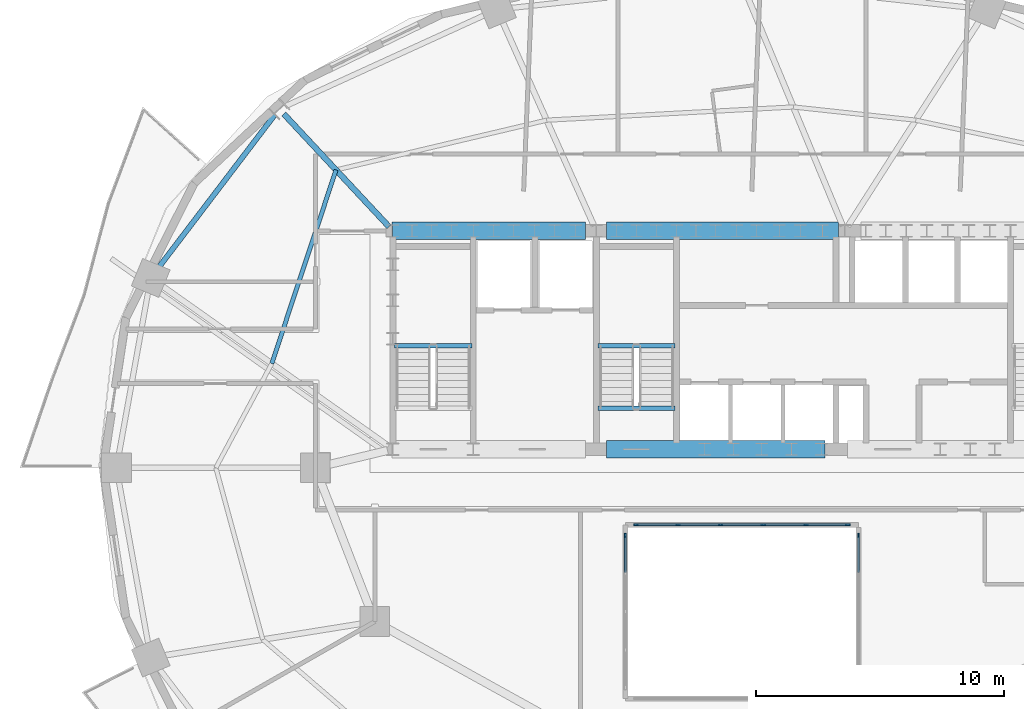
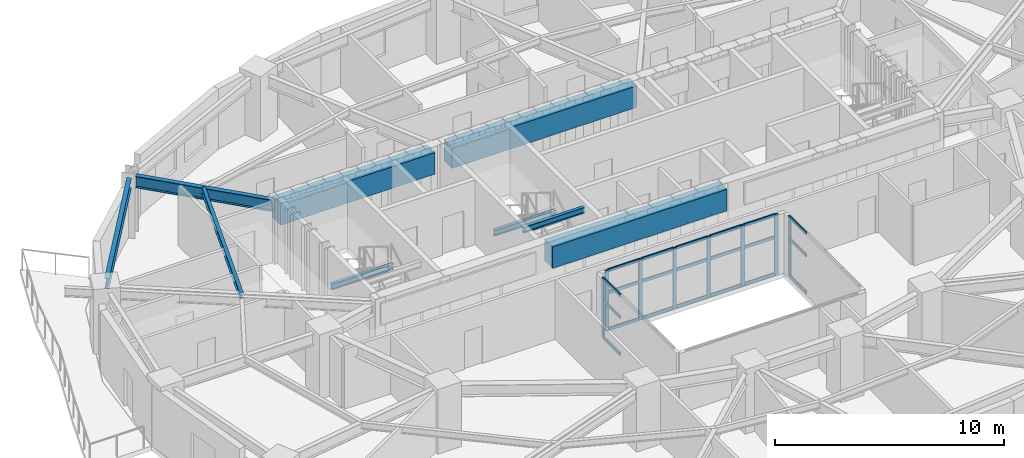
# One storey, part 3 of 13: 29 members, 9 beams, 3 elements without a shape of their own.
"""IFC4 building model written with IfcOpenShell, lengths in metres."""

from ifc_helpers import new_model, si_unit, direction, frame, origin, origin_2d, place, context, subcontext, project, spatial, rectangle, i_section, extrude, material, material_profile, profile_set, type_object, element, aggregate, save


model = new_model("IFC4")

# Units and contexts
model_context = context("Model", 3, precision=1e-05, world=origin(), true_north=direction((0.0, 1.0)))
body_context = subcontext(model_context, "Body", "Model", "MODEL_VIEW")
ifc_project = project(units=[si_unit("LENGTHUNIT", "METRE"), si_unit("AREAUNIT", "SQUARE_METRE"), si_unit("VOLUMEUNIT", "CUBIC_METRE"), si_unit("PLANEANGLEUNIT", "RADIAN"), si_unit("MASSUNIT", "GRAM", prefix="KILO")], contexts=[model_context])

# Site, building, storey
site_placement = place(None, origin())
site = spatial("IfcSite", under=ifc_project, at=site_placement, CompositionType="ELEMENT")
building_placement = place(site_placement, origin())
building = spatial("IfcBuilding", under=site, at=building_placement, Name="Haldorwick Loom Tower", CompositionType="ELEMENT")
storey_placement = place(building_placement, frame((0.0, 0.0, 142.550048828125)))
storey = spatial("IfcBuildingStorey", under=building, at=storey_placement, Name="L38", CompositionType="ELEMENT", Elevation=142.550048828125)

# Curtain wall, members
ifc_material_1 = material(Name="Thermally Broken Anodized Aluminium Curtain Wall Framing", Category="aluminium")
curtain_wall_type = type_object("IfcCurtainWallType", Name="ARC-CW-03", PredefinedType="NOTDEFINED", material=ifc_material_1)
curtain_wall_1_placement = place(storey_placement, origin())
curtain_wall_1 = element("IfcCurtainWall", 1, at=curtain_wall_1_placement, inside=storey, type_object=curtain_wall_type, Name="L38 Atrium Glazed Screen N", PredefinedType="NOTDEFINED")
ifc_material_profile_1 = material_profile(ifc_material_1, rectangle(XDim=0.06591796875, YDim=0.18505859375, at=origin_2d()), Name="ALU_MUL_66X185", Category="aluminium")
ifc_profile_set_1 = profile_set([ifc_material_profile_1], Name="Thermally Broken Anodized Aluminium Curtain Wall Framing")
member_type_1 = type_object("IfcMemberType", Name="ARC-CWM-03", PredefinedType="MULLION", material=ifc_profile_set_1)
member_1_placement = place(storey_placement, frame((31.73291015625, 23.699951171875, 0.0), z_axis=(0.0, 0.0, 1.0), x_axis=(0.0, 1.0, 0.0)))
member_1 = element("IfcMember", 2, at=member_1_placement, type_object=member_type_1, Name="CW-03 mullion 1", PredefinedType="MULLION", context=body_context, shape_type="SweptSolid", body=[
    extrude(rectangle(XDim=0.06591796875, YDim=0.18505859375, at=origin_2d()), origin(), (0.0, 0.0, 1.0), 3.2099609375),
])
member_2_placement = place(storey_placement, frame((33.419921875, 23.699951171875, 0.0), z_axis=(0.0, 0.0, 1.0), x_axis=(0.0, 1.0, 0.0)))
member_2 = element("IfcMember", 3, at=member_2_placement, type_object=member_type_1, Name="CW-03 mullion 2", PredefinedType="MULLION", context=body_context, shape_type="SweptSolid", body=[
    extrude(rectangle(XDim=0.06591796875, YDim=0.18505859375, at=origin_2d()), origin(), (0.0, 0.0, 1.0), 3.2099609375),
])
member_3_placement = place(storey_placement, frame((35.139892578125, 23.699951171875, 0.0), z_axis=(0.0, 0.0, 1.0), x_axis=(0.0, 1.0, 0.0)))
member_3 = element("IfcMember", 4, at=member_3_placement, type_object=member_type_1, Name="CW-03 mullion 3", PredefinedType="MULLION", context=body_context, shape_type="SweptSolid", body=[
    extrude(rectangle(XDim=0.06591796875, YDim=0.18505859375, at=origin_2d()), origin(), (0.0, 0.0, 1.0), 3.2099609375),
])
member_4_placement = place(storey_placement, frame((36.860107421875, 23.699951171875, 0.0), z_axis=(0.0, 0.0, 1.0), x_axis=(0.0, 1.0, 0.0)))
member_4 = element("IfcMember", 5, at=member_4_placement, type_object=member_type_1, Name="CW-03 mullion 4", PredefinedType="MULLION", context=body_context, shape_type="SweptSolid", body=[
    extrude(rectangle(XDim=0.06591796875, YDim=0.18505859375, at=origin_2d()), origin(), (0.0, 0.0, 1.0), 3.2099609375),
])
member_5_placement = place(storey_placement, frame((38.580078125, 23.699951171875, 0.0), z_axis=(0.0, 0.0, 1.0), x_axis=(0.0, 1.0, 0.0)))
member_5 = element("IfcMember", 6, at=member_5_placement, type_object=member_type_1, Name="CW-03 mullion 5", PredefinedType="MULLION", context=body_context, shape_type="SweptSolid", body=[
    extrude(rectangle(XDim=0.06591796875, YDim=0.18505859375, at=origin_2d()), origin(), (0.0, 0.0, 1.0), 3.2099609375),
])
member_6_placement = place(storey_placement, frame((40.26708984375, 23.699951171875, 0.0), z_axis=(0.0, 0.0, 1.0), x_axis=(0.0, 1.0, 0.0)))
member_6 = element("IfcMember", 7, at=member_6_placement, type_object=member_type_1, Name="CW-03 mullion 6", PredefinedType="MULLION", context=body_context, shape_type="SweptSolid", body=[
    extrude(rectangle(XDim=0.06591796875, YDim=0.18505859375, at=origin_2d()), origin(), (0.0, 0.0, 1.0), 3.2099609375),
])

# Curtain wall, member
curtain_wall_2_placement = place(storey_placement, origin())
curtain_wall_2 = element("IfcCurtainWall", 8, at=curtain_wall_2_placement, inside=storey, type_object=curtain_wall_type, Name="L38 Atrium Glazed Screen W", PredefinedType="NOTDEFINED")
member_7_placement = place(storey_placement, frame((31.300048828125, 23.26708984375, 0.0), z_axis=(0.0, 0.0, 1.0), x_axis=(-1.0, 0.0, 0.0)))
member_7 = element("IfcMember", 9, at=member_7_placement, type_object=member_type_1, Name="CW-03 mullion 5", PredefinedType="MULLION", context=body_context, shape_type="SweptSolid", body=[
    extrude(rectangle(XDim=0.06591796875, YDim=0.18505859375, at=origin_2d()), origin(), (0.0, 0.0, 1.0), 3.2099609375),
])

curtain_wall_3_placement = place(storey_placement, origin())
curtain_wall_3 = element("IfcCurtainWall", 10, at=curtain_wall_3_placement, inside=storey, type_object=curtain_wall_type, Name="L38 Atrium Glazed Screen E", PredefinedType="NOTDEFINED")
member_8_placement = place(storey_placement, frame((40.699951171875, 23.26708984375, 0.0), z_axis=(0.0, 0.0, 1.0), x_axis=(1.0, 0.0, 0.0)))
member_8 = element("IfcMember", 11, at=member_8_placement, type_object=member_type_1, Name="CW-03 mullion 1", PredefinedType="MULLION", context=body_context, shape_type="SweptSolid", body=[
    extrude(rectangle(XDim=0.06591796875, YDim=0.18505859375, at=origin_2d()), origin(), (0.0, 0.0, 1.0), 3.2099609375),
])

# Member
ifc_material_profile_2 = material_profile(ifc_material_1, rectangle(XDim=0.06591796875, YDim=0.1650390625, at=origin_2d()), Name="ALU_TRN_66X165", Category="aluminium")
ifc_profile_set_2 = profile_set([ifc_material_profile_2], Name="Thermally Broken Anodized Aluminium Curtain Wall Framing")
member_type_2 = type_object("IfcMemberType", Name="ARC-CWT-03", PredefinedType="USERDEFINED", material=ifc_profile_set_2)
member_9_placement = place(storey_placement, frame((31.76611328125, 23.699951171875, 0.032958984375), z_axis=(1.0, 0.0, 0.0), x_axis=(0.0, 1.0, 0.0)))
member_9 = element("IfcMember", 12, at=member_9_placement, type_object=member_type_2, Name="CW-03 transom 1.1", ObjectType="TRANSOM", PredefinedType="USERDEFINED", context=body_context, shape_type="SweptSolid", body=[
    extrude(rectangle(XDim=0.06591796875, YDim=0.1650390625, at=origin_2d()), origin(), (0.0, 0.0, 1.0), 1.620849609375),
])

member_10_placement = place(storey_placement, frame((31.76611328125, 23.699951171875, 2.0), z_axis=(1.0, 0.0, 0.0), x_axis=(0.0, 1.0, 0.0)))
member_10 = element("IfcMember", 13, at=member_10_placement, type_object=member_type_2, Name="CW-03 transom 1.2", ObjectType="TRANSOM", PredefinedType="USERDEFINED", context=body_context, shape_type="SweptSolid", body=[
    extrude(rectangle(XDim=0.06591796875, YDim=0.1650390625, at=origin_2d()), origin(), (0.0, 0.0, 1.0), 1.620849609375),
])

member_11_placement = place(storey_placement, frame((31.76611328125, 23.699951171875, 3.177001953125), z_axis=(1.0, 0.0, 0.0), x_axis=(0.0, 1.0, 0.0)))
member_11 = element("IfcMember", 14, at=member_11_placement, type_object=member_type_2, Name="CW-03 transom 1.3", ObjectType="TRANSOM", PredefinedType="USERDEFINED", context=body_context, shape_type="SweptSolid", body=[
    extrude(rectangle(XDim=0.06591796875, YDim=0.1650390625, at=origin_2d()), origin(), (0.0, 0.0, 1.0), 1.620849609375),
])

member_12_placement = place(storey_placement, frame((33.452880859375, 23.699951171875, 0.032958984375), z_axis=(1.0, 0.0, 0.0), x_axis=(0.0, 1.0, 0.0)))
member_12 = element("IfcMember", 15, at=member_12_placement, type_object=member_type_2, Name="CW-03 transom 2.1", ObjectType="TRANSOM", PredefinedType="USERDEFINED", context=body_context, shape_type="SweptSolid", body=[
    extrude(rectangle(XDim=0.06591796875, YDim=0.1650390625, at=origin_2d()), origin(), (0.0, 0.0, 1.0), 1.654052734375),
])

member_13_placement = place(storey_placement, frame((33.452880859375, 23.699951171875, 2.0), z_axis=(1.0, 0.0, 0.0), x_axis=(0.0, 1.0, 0.0)))
member_13 = element("IfcMember", 16, at=member_13_placement, type_object=member_type_2, Name="CW-03 transom 2.2", ObjectType="TRANSOM", PredefinedType="USERDEFINED", context=body_context, shape_type="SweptSolid", body=[
    extrude(rectangle(XDim=0.06591796875, YDim=0.1650390625, at=origin_2d()), origin(), (0.0, 0.0, 1.0), 1.654052734375),
])

member_14_placement = place(storey_placement, frame((33.452880859375, 23.699951171875, 3.177001953125), z_axis=(1.0, 0.0, 0.0), x_axis=(0.0, 1.0, 0.0)))
member_14 = element("IfcMember", 17, at=member_14_placement, type_object=member_type_2, Name="CW-03 transom 2.3", ObjectType="TRANSOM", PredefinedType="USERDEFINED", context=body_context, shape_type="SweptSolid", body=[
    extrude(rectangle(XDim=0.06591796875, YDim=0.1650390625, at=origin_2d()), origin(), (0.0, 0.0, 1.0), 1.654052734375),
])

member_15_placement = place(storey_placement, frame((35.173095703125, 23.699951171875, 0.032958984375), z_axis=(1.0, 0.0, 0.0), x_axis=(0.0, 1.0, 0.0)))
member_15 = element("IfcMember", 18, at=member_15_placement, type_object=member_type_2, Name="CW-03 transom 3.1", ObjectType="TRANSOM", PredefinedType="USERDEFINED", context=body_context, shape_type="SweptSolid", body=[
    extrude(rectangle(XDim=0.06591796875, YDim=0.1650390625, at=origin_2d()), origin(), (0.0, 0.0, 1.0), 1.65380859375),
])

member_16_placement = place(storey_placement, frame((35.173095703125, 23.699951171875, 2.0), z_axis=(1.0, 0.0, 0.0), x_axis=(0.0, 1.0, 0.0)))
member_16 = element("IfcMember", 19, at=member_16_placement, type_object=member_type_2, Name="CW-03 transom 3.2", ObjectType="TRANSOM", PredefinedType="USERDEFINED", context=body_context, shape_type="SweptSolid", body=[
    extrude(rectangle(XDim=0.06591796875, YDim=0.1650390625, at=origin_2d()), origin(), (0.0, 0.0, 1.0), 1.65380859375),
])

member_17_placement = place(storey_placement, frame((35.173095703125, 23.699951171875, 3.177001953125), z_axis=(1.0, 0.0, 0.0), x_axis=(0.0, 1.0, 0.0)))
member_17 = element("IfcMember", 20, at=member_17_placement, type_object=member_type_2, Name="CW-03 transom 3.3", ObjectType="TRANSOM", PredefinedType="USERDEFINED", context=body_context, shape_type="SweptSolid", body=[
    extrude(rectangle(XDim=0.06591796875, YDim=0.1650390625, at=origin_2d()), origin(), (0.0, 0.0, 1.0), 1.65380859375),
])

member_18_placement = place(storey_placement, frame((36.89306640625, 23.699951171875, 0.032958984375), z_axis=(1.0, 0.0, 0.0), x_axis=(0.0, 1.0, 0.0)))
member_18 = element("IfcMember", 21, at=member_18_placement, type_object=member_type_2, Name="CW-03 transom 4.1", ObjectType="TRANSOM", PredefinedType="USERDEFINED", context=body_context, shape_type="SweptSolid", body=[
    extrude(rectangle(XDim=0.06591796875, YDim=0.1650390625, at=origin_2d()), origin(), (0.0, 0.0, 1.0), 1.654052734375),
])

member_19_placement = place(storey_placement, frame((36.89306640625, 23.699951171875, 2.0), z_axis=(1.0, 0.0, 0.0), x_axis=(0.0, 1.0, 0.0)))
member_19 = element("IfcMember", 22, at=member_19_placement, type_object=member_type_2, Name="CW-03 transom 4.2", ObjectType="TRANSOM", PredefinedType="USERDEFINED", context=body_context, shape_type="SweptSolid", body=[
    extrude(rectangle(XDim=0.06591796875, YDim=0.1650390625, at=origin_2d()), origin(), (0.0, 0.0, 1.0), 1.654052734375),
])

member_20_placement = place(storey_placement, frame((36.89306640625, 23.699951171875, 3.177001953125), z_axis=(1.0, 0.0, 0.0), x_axis=(0.0, 1.0, 0.0)))
member_20 = element("IfcMember", 23, at=member_20_placement, type_object=member_type_2, Name="CW-03 transom 4.3", ObjectType="TRANSOM", PredefinedType="USERDEFINED", context=body_context, shape_type="SweptSolid", body=[
    extrude(rectangle(XDim=0.06591796875, YDim=0.1650390625, at=origin_2d()), origin(), (0.0, 0.0, 1.0), 1.654052734375),
])

member_21_placement = place(storey_placement, frame((38.613037109375, 23.699951171875, 0.032958984375), z_axis=(1.0, 0.0, 0.0), x_axis=(0.0, 1.0, 0.0)))
member_21 = element("IfcMember", 24, at=member_21_placement, type_object=member_type_2, Name="CW-03 transom 5.1", ObjectType="TRANSOM", PredefinedType="USERDEFINED", context=body_context, shape_type="SweptSolid", body=[
    extrude(rectangle(XDim=0.06591796875, YDim=0.1650390625, at=origin_2d()), origin(), (0.0, 0.0, 1.0), 1.620849609375),
])

member_22_placement = place(storey_placement, frame((38.613037109375, 23.699951171875, 2.0), z_axis=(1.0, 0.0, 0.0), x_axis=(0.0, 1.0, 0.0)))
member_22 = element("IfcMember", 25, at=member_22_placement, type_object=member_type_2, Name="CW-03 transom 5.2", ObjectType="TRANSOM", PredefinedType="USERDEFINED", context=body_context, shape_type="SweptSolid", body=[
    extrude(rectangle(XDim=0.06591796875, YDim=0.1650390625, at=origin_2d()), origin(), (0.0, 0.0, 1.0), 1.620849609375),
])

member_23_placement = place(storey_placement, frame((38.613037109375, 23.699951171875, 3.177001953125), z_axis=(1.0, 0.0, 0.0), x_axis=(0.0, 1.0, 0.0)))
member_23 = element("IfcMember", 26, at=member_23_placement, type_object=member_type_2, Name="CW-03 transom 5.3", ObjectType="TRANSOM", PredefinedType="USERDEFINED", context=body_context, shape_type="SweptSolid", body=[
    extrude(rectangle(XDim=0.06591796875, YDim=0.1650390625, at=origin_2d()), origin(), (0.0, 0.0, 1.0), 1.620849609375),
])

aggregate(curtain_wall_1, [member_1, member_2, member_3, member_4, member_5, member_6, member_9, member_10, member_11, member_12, member_13, member_14, member_15, member_16, member_17, member_18, member_19, member_20, member_21, member_22, member_23])

member_24_placement = place(storey_placement, frame((31.300048828125, 21.782958984375, 0.032958984375), z_axis=(0.0, 1.0, 0.0), x_axis=(-1.0, 0.0, 0.0)))
member_24 = element("IfcMember", 27, at=member_24_placement, type_object=member_type_2, Name="CW-03 transom 4.1", ObjectType="TRANSOM", PredefinedType="USERDEFINED", context=body_context, shape_type="SweptSolid", body=[
    extrude(rectangle(XDim=0.06591796875, YDim=0.1650390625, at=origin_2d()), origin(), (0.0, 0.0, 1.0), 1.450927734375),
])

member_25_placement = place(storey_placement, frame((31.300048828125, 21.782958984375, 2.0), z_axis=(0.0, 1.0, 0.0), x_axis=(-1.0, 0.0, 0.0)))
member_25 = element("IfcMember", 28, at=member_25_placement, type_object=member_type_2, Name="CW-03 transom 4.2", ObjectType="TRANSOM", PredefinedType="USERDEFINED", context=body_context, shape_type="SweptSolid", body=[
    extrude(rectangle(XDim=0.06591796875, YDim=0.1650390625, at=origin_2d()), origin(), (0.0, 0.0, 1.0), 1.450927734375),
])

member_26_placement = place(storey_placement, frame((31.300048828125, 21.782958984375, 3.177001953125), z_axis=(0.0, 1.0, 0.0), x_axis=(-1.0, 0.0, 0.0)))
member_26 = element("IfcMember", 29, at=member_26_placement, type_object=member_type_2, Name="CW-03 transom 4.3", ObjectType="TRANSOM", PredefinedType="USERDEFINED", context=body_context, shape_type="SweptSolid", body=[
    extrude(rectangle(XDim=0.06591796875, YDim=0.1650390625, at=origin_2d()), origin(), (0.0, 0.0, 1.0), 1.450927734375),
])

aggregate(curtain_wall_2, [member_7, member_24, member_25, member_26])

member_27_placement = place(storey_placement, frame((40.699951171875, 23.23388671875, 0.032958984375), z_axis=(0.0, -1.0, 0.0), x_axis=(1.0, 0.0, 0.0)))
member_27 = element("IfcMember", 30, at=member_27_placement, type_object=member_type_2, Name="CW-03 transom 1.1", ObjectType="TRANSOM", PredefinedType="USERDEFINED", context=body_context, shape_type="SweptSolid", body=[
    extrude(rectangle(XDim=0.06591796875, YDim=0.1650390625, at=origin_2d()), origin(), (0.0, 0.0, 1.0), 1.450927734375),
])

member_28_placement = place(storey_placement, frame((40.699951171875, 23.23388671875, 2.0), z_axis=(0.0, -1.0, 0.0), x_axis=(1.0, 0.0, 0.0)))
member_28 = element("IfcMember", 31, at=member_28_placement, type_object=member_type_2, Name="CW-03 transom 1.2", ObjectType="TRANSOM", PredefinedType="USERDEFINED", context=body_context, shape_type="SweptSolid", body=[
    extrude(rectangle(XDim=0.06591796875, YDim=0.1650390625, at=origin_2d()), origin(), (0.0, 0.0, 1.0), 1.450927734375),
])

member_29_placement = place(storey_placement, frame((40.699951171875, 23.23388671875, 3.177001953125), z_axis=(0.0, -1.0, 0.0), x_axis=(1.0, 0.0, 0.0)))
member_29 = element("IfcMember", 32, at=member_29_placement, type_object=member_type_2, Name="CW-03 transom 1.3", ObjectType="TRANSOM", PredefinedType="USERDEFINED", context=body_context, shape_type="SweptSolid", body=[
    extrude(rectangle(XDim=0.06591796875, YDim=0.1650390625, at=origin_2d()), origin(), (0.0, 0.0, 1.0), 1.450927734375),
])

aggregate(curtain_wall_3, [member_8, member_27, member_28, member_29])

# Beams
ifc_material_2 = material(Name="Concrete C60 (60 MPa)", Category="concrete")
ifc_material_profile_3 = material_profile(ifc_material_2, rectangle(XDim=0.699951171875, YDim=1.14990234375, at=origin_2d()), Name="RC700X1150", Category="concrete")
ifc_profile_set_3 = profile_set([ifc_material_profile_3], Name="Concrete C60 (60 MPa)")
beam_type_1 = type_object("IfcBeamType", Name="STR-BM-CB1150", PredefinedType="LINTEL", material=ifc_profile_set_3)
beam_1_placement = place(storey_placement, frame((21.89990234375, 35.550048828125, 2.635009765625), z_axis=(1.0, 0.0, 0.0), x_axis=(0.0, 1.0, 0.0)))
element("IfcBeam", 33, at=beam_1_placement, inside=storey, type_object=beam_type_1, Name="L38 Core Coupling Beam CB-N1", PredefinedType="LINTEL", context=body_context, shape_type="SweptSolid", body=[
    extrude(rectangle(XDim=0.699951171875, YDim=1.14990234375, at=origin_2d()), origin(), (0.0, 0.0, 1.0), 7.800048828125),
])
beam_2_placement = place(storey_placement, frame((30.550048828125, 35.550048828125, 2.635009765625), z_axis=(1.0, 0.0, 0.0), x_axis=(0.0, 1.0, 0.0)))
element("IfcBeam", 34, at=beam_2_placement, inside=storey, type_object=beam_type_1, Name="L38 Core Coupling Beam CB-N2", PredefinedType="LINTEL", context=body_context, shape_type="SweptSolid", body=[
    extrude(rectangle(XDim=0.699951171875, YDim=1.14990234375, at=origin_2d()), origin(), (0.0, 0.0, 1.0), 9.349853515625),
])
beam_3_placement = place(storey_placement, frame((30.550048828125, 26.75, 2.635009765625), z_axis=(1.0, 0.0, 0.0), x_axis=(0.0, 1.0, 0.0)))
element("IfcBeam", 35, at=beam_3_placement, inside=storey, type_object=beam_type_1, Name="L38 Core Coupling Beam CB-S2", PredefinedType="LINTEL", context=body_context, shape_type="SweptSolid", body=[
    extrude(rectangle(XDim=0.699951171875, YDim=1.14990234375, at=origin_2d()), origin(), (0.0, 0.0, 1.0), 8.800048828125),
])
ifc_material_3 = material(Name="Steel CSA G40.21 350W", Category="steel")
ifc_material_profile_4 = material_profile(ifc_material_3, i_section(OverallWidth=0.172119140625, OverallDepth=0.35791015625, WebThickness=0.0078125, FlangeThickness=0.01318359375, at=origin_2d()), Name="W360X57", Category="steel")
ifc_profile_set_4 = profile_set([ifc_material_profile_4], Name="Steel CSA G40.21 350W")
beam_type_2 = type_object("IfcBeamType", Name="STR-BM-J360", PredefinedType="JOIST", material=ifc_profile_set_4)
beam_4_placement = place(storey_placement, frame((19.63720703125, 38.007080078125, 3.031005859375), z_axis=(-0.314980632705, -0.949098098734, 0.0), x_axis=(0.949098098734, -0.314980632705, 0.0)))
element("IfcBeam", 36, at=beam_4_placement, inside=storey, type_object=beam_type_2, Name="L38 Mid-Bay Secondary Joist 7", PredefinedType="JOIST", context=body_context, shape_type="SweptSolid", body=[
    extrude(i_section(OverallWidth=0.172119140625, OverallDepth=0.35791015625, WebThickness=0.0078125, FlangeThickness=0.01318359375, at=origin_2d()), origin(), (0.0, 0.0, 1.0), 8.223876953125),
])
ifc_material_profile_5 = material_profile(ifc_material_3, i_section(OverallWidth=0.2119140625, OverallDepth=0.5439453125, WebThickness=0.01318359375, FlangeThickness=0.021240234375, at=origin_2d()), Name="W530X123", Category="steel")
ifc_profile_set_5 = profile_set([ifc_material_profile_5], Name="Steel CSA G40.21 350W")
beam_type_3 = type_object("IfcBeamType", Name="STR-BM-SP530", PredefinedType="SPANDREL", material=ifc_profile_set_5)
beam_5_placement = place(storey_placement, frame((17.177978515625, 40.245361328125, 2.93798828125), z_axis=(-0.605421356486, -0.795905133236, 0.0), x_axis=(0.795905133236, -0.605421356486, 0.0)))
element("IfcBeam", 37, at=beam_5_placement, inside=storey, type_object=beam_type_3, Name="L38 Perimeter Spandrel 7", PredefinedType="SPANDREL", context=body_context, shape_type="SweptSolid", body=[
    extrude(i_section(OverallWidth=0.2119140625, OverallDepth=0.5439453125, WebThickness=0.01318359375, FlangeThickness=0.021240234375, at=origin_2d()), origin(), (0.0, 0.0, 1.0), 7.761962890625),
])
ifc_material_profile_6 = material_profile(ifc_material_3, i_section(OverallWidth=0.166015625, OverallDepth=0.31298828125, WebThickness=0.006591796875, FlangeThickness=0.01123046875, at=origin_2d()), Name="W310X45", Category="steel")
ifc_profile_set_6 = profile_set([ifc_material_profile_6], Name="Steel CSA G40.21 350W")
beam_type_4 = type_object("IfcBeamType", Name="STR-BM-STRM", PredefinedType="BEAM", material=ifc_profile_set_6)
for number, where, z_axis, x_axis, name in (
    (38, (21.989990234375, 30.919921875, 1.368408203125), (1.0, 0.0, 0.0), (0.0, 1.0, 0.0), "L38 Stair ST-01 Half-Landing Trimmer 1"),
    (39, (30.18994140625, 28.39990234375, 3.053466796875), (1.0, 0.0, 0.0), (0.0, 1.0, 0.0), "L38 Stair ST-03 Landing Edge Trimmer"),
    (40, (30.18994140625, 30.919921875, 1.368408203125), (1.0, 0.0, 0.0), (0.0, 1.0, 0.0), "L38 Stair ST-03 Half-Landing Trimmer 1"),
):
    element("IfcBeam", number, at=place(storey_placement, frame(where, z_axis=z_axis, x_axis=x_axis)), inside=storey, type_object=beam_type_4, Name=name, PredefinedType="BEAM", context=body_context, shape_type="SweptSolid", body=[
        extrude(i_section(OverallWidth=0.166015625, OverallDepth=0.31298828125, WebThickness=0.006591796875, FlangeThickness=0.01123046875, at=origin_2d()), origin(), (0.0, 0.0, 1.0), 3.1201171875),
    ])
ifc_material_profile_7 = material_profile(ifc_material_3, i_section(OverallWidth=0.22998046875, OverallDepth=0.616943359375, WebThickness=0.01318359375, FlangeThickness=0.022216796875, at=origin_2d()), Name="W610X140", Category="steel")
ifc_profile_set_7 = profile_set([ifc_material_profile_7], Name="Steel CSA G40.21 350W")
beam_type_5 = type_object("IfcBeamType", Name="STR-BM-W610B", PredefinedType="BEAM", material=ifc_profile_set_7)
beam_6_placement = place(storey_placement, frame((21.776611328125, 35.714599609375, 2.9013671875), z_axis=(-0.682256728841, 0.731112683484, 0.0), x_axis=(-0.731112683484, -0.682256728841, 0.0)))
element("IfcBeam", 41, at=beam_6_placement, inside=storey, type_object=beam_type_5, Name="L38 Radial Floor Girder 7", PredefinedType="BEAM", context=body_context, shape_type="SweptSolid", body=[
    extrude(i_section(OverallWidth=0.22998046875, OverallDepth=0.616943359375, WebThickness=0.01318359375, FlangeThickness=0.022216796875, at=origin_2d()), origin(), (0.0, 0.0, 1.0), 6.221435546875),
])

save(model, "model.ifc")
